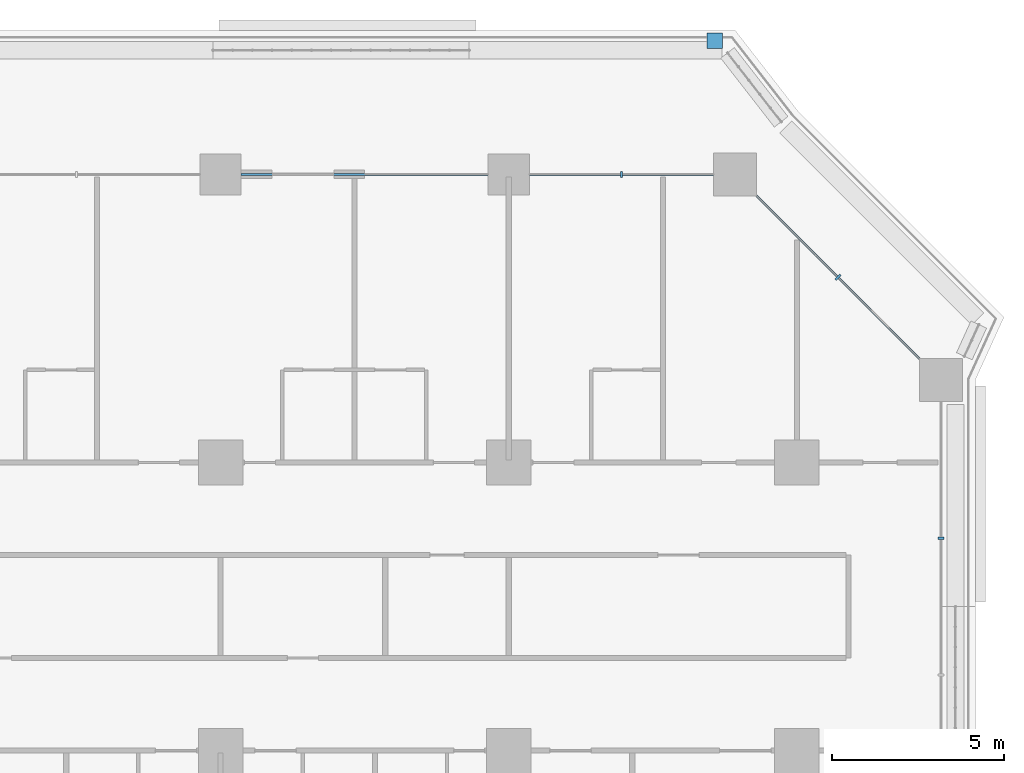
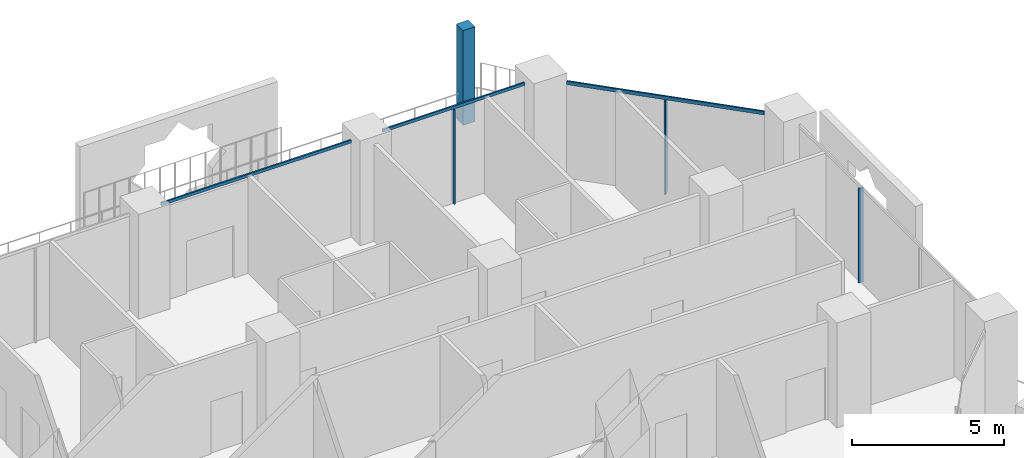
# One storey, part 10 of 28: 7 members, 4 elements without a shape of their own.
"""IFC4 building model written with IfcOpenShell, lengths in metres."""

from ifc_helpers import new_model, si_unit, direction, frame, origin, origin_2d, place, context, subcontext, project, spatial, rectangle, extrude, material, layer, layer_set, material_profile, profile_set, type_object, element, aggregate, save


model = new_model("IFC4")

# Units and contexts
model_context = context("Model", 3, precision=1e-05, world=origin(), true_north=direction((0.0, 1.0)))
body_context = subcontext(model_context, "Body", "Model", "MODEL_VIEW")
ifc_project = project(units=[si_unit("LENGTHUNIT", "METRE"), si_unit("AREAUNIT", "SQUARE_METRE"), si_unit("VOLUMEUNIT", "CUBIC_METRE"), si_unit("PLANEANGLEUNIT", "RADIAN"), si_unit("MASSUNIT", "GRAM", prefix="KILO")], contexts=[model_context])

# Site, building, storey
site_placement = place(None, origin())
site = spatial("IfcSite", under=ifc_project, at=site_placement, CompositionType="ELEMENT")
building_placement = place(site_placement, origin())
building = spatial("IfcBuilding", under=site, at=building_placement, Name="Kawkab Arch Medical Tower", CompositionType="ELEMENT")
storey_placement = place(building_placement, frame((0.0, 0.0, 77.0)))
storey = spatial("IfcBuildingStorey", under=building, at=storey_placement, Name="L17", CompositionType="ELEMENT", Elevation=77.0)

# Curtain wall, member
ifc_material_1 = material(Name="Bronze anodised aluminium curtain wall frame", Category="aluminium")
ifc_layer_1 = layer(ifc_material_1, 0.159912109375)
ifc_layer_set_1 = layer_set([ifc_layer_1], Name="Bronze anodised aluminium curtain wall frame")
curtain_wall_type_1 = type_object("IfcCurtainWallType", Name="CW1 ward curtain wall", PredefinedType="NOTDEFINED", material=ifc_layer_set_1)
placement = place(storey_placement, origin())
curtain_wall_1 = element("IfcCurtainWall", 1, at=placement, inside=storey, type_object=curtain_wall_type_1, Name="CW1 Ward curtain wall R09", PredefinedType="NOTDEFINED")
ifc_material_2 = material(Name="Bronze anodised aluminium curtain wall frame", Category="aluminium")
ifc_material_profile_1 = material_profile(ifc_material_2, rectangle(XDim=0.179931640625, YDim=0.06005859375, at=origin_2d()), Name="AL 60x180")
ifc_profile_set_1 = profile_set([ifc_material_profile_1], Name="Bronze anodised aluminium curtain wall frame")
member_type_1 = type_object("IfcMemberType", Name="CW1 mullion 60 x 180", PredefinedType="MULLION", material=ifc_profile_set_1)
member_1_placement = place(storey_placement, frame((79.800048828125, -10.6083984375, 0.0), z_axis=(0.0, 0.0, 1.0), x_axis=(-1.0, 0.0, 0.0)))
member_1 = element("IfcMember", 2, at=member_1_placement, type_object=member_type_1, Name="CW1 mullion 1.2", PredefinedType="MULLION", context=body_context, shape_type="SweptSolid", body=[
    extrude(rectangle(XDim=0.179931640625, YDim=0.06005859375, at=origin_2d()), origin(), (0.0, 0.0, 1.0), 3.780029296875),
])
aggregate(curtain_wall_1, [member_1])

# Curtain wall, members
curtain_wall_2 = element("IfcCurtainWall", 3, at=placement, inside=storey, type_object=curtain_wall_type_1, Name="CW1 Ward curtain wall R11", PredefinedType="NOTDEFINED")
member_2_placement = place(storey_placement, frame((70.487548828125, 0.0, 0.0), z_axis=(0.0, 0.0, 1.0), x_axis=(0.0, -1.0, 0.0)))
member_2 = element("IfcMember", 4, at=member_2_placement, type_object=member_type_1, Name="CW1 mullion 1.1", PredefinedType="MULLION", context=body_context, shape_type="SweptSolid", body=[
    extrude(rectangle(XDim=0.179931640625, YDim=0.06005859375, at=origin_2d()), origin(), (0.0, 0.0, 1.0), 3.780029296875),
])
ifc_material_3 = material(Name="Bronze anodised aluminium curtain wall frame", Category="aluminium")
ifc_material_profile_2 = material_profile(ifc_material_3, rectangle(XDim=0.06005859375, YDim=0.1201171875, at=origin_2d()), Name="AL 60x120")
ifc_profile_set_2 = profile_set([ifc_material_profile_2], Name="Bronze anodised aluminium curtain wall frame")
member_type_2 = type_object("IfcMemberType", Name="CW1 transom 120 x 60", PredefinedType="USERDEFINED", material=ifc_profile_set_2)
member_3_placement = place(storey_placement, frame((73.175048828125, 0.0, 3.840087890625), z_axis=(-1.0, 0.0, 0.0), x_axis=(0.0, -1.0, 0.0)))
member_3 = element("IfcMember", 5, at=member_3_placement, type_object=member_type_2, Name="CW1 transom 1", ObjectType="TRANSOM", PredefinedType="USERDEFINED", context=body_context, shape_type="SweptSolid", body=[
    extrude(rectangle(XDim=0.06005859375, YDim=0.1201171875, at=origin_2d()), origin(), (0.0, 0.0, 1.0), 5.375),
])
member_4_placement = place(storey_placement, frame((66.60009765625, 0.0, 3.840087890625), z_axis=(-1.0, 0.0, 0.0), x_axis=(0.0, -1.0, 0.0)))
member_4 = element("IfcMember", 6, at=member_4_placement, type_object=member_type_2, Name="CW1 transom 2", ObjectType="TRANSOM", PredefinedType="USERDEFINED", context=body_context, shape_type="SweptSolid", body=[
    extrude(rectangle(XDim=0.06005859375, YDim=0.1201171875, at=origin_2d()), origin(), (0.0, 0.0, 1.0), 7.2001953125),
])
aggregate(curtain_wall_2, [member_3, member_2, member_4])

ifc_material_4 = material(Name="Bronze anodised aluminium curtain wall frame", Category="aluminium")
ifc_layer_2 = layer(ifc_material_4, 0.159912109375)
ifc_layer_set_2 = layer_set([ifc_layer_2], Name="Bronze anodised aluminium curtain wall frame")
curtain_wall_type_2 = type_object("IfcCurtainWallType", Name="CW2 chamfer curtain wall", PredefinedType="NOTDEFINED", material=ifc_layer_set_2)
curtain_wall_3 = element("IfcCurtainWall", 7, at=placement, inside=storey, type_object=curtain_wall_type_2, Name="CW2 Chamfer curtain wall R10", PredefinedType="NOTDEFINED")
ifc_material_5 = material(Name="Bronze anodised aluminium curtain wall frame", Category="aluminium")
ifc_material_profile_3 = material_profile(ifc_material_5, rectangle(XDim=0.199951171875, YDim=0.06005859375, at=origin_2d()), Name="AL 60x200")
ifc_profile_set_3 = profile_set([ifc_material_profile_3], Name="Bronze anodised aluminium curtain wall frame")
member_type_3 = type_object("IfcMemberType", Name="CW2 mullion 60 x 200", PredefinedType="MULLION", material=ifc_profile_set_3)
member_5_placement = place(storey_placement, frame((76.800048828125, -3.0, 0.0), z_axis=(0.0, 0.0, 1.0), x_axis=(-0.707106781187, -0.707106781187, 0.0)))
member_5 = element("IfcMember", 8, at=member_5_placement, type_object=member_type_3, Name="CW2 mullion 1.1", PredefinedType="MULLION", context=body_context, shape_type="SweptSolid", body=[
    extrude(rectangle(XDim=0.199951171875, YDim=0.06005859375, at=origin_2d()), origin(), (0.0, 0.0, 1.0), 3.760009765625),
])
ifc_material_6 = material(Name="Bronze anodised aluminium curtain wall frame", Category="aluminium")
ifc_material_profile_4 = material_profile(ifc_material_6, rectangle(XDim=0.06005859375, YDim=0.139892578125, at=origin_2d()), Name="AL 60x140")
ifc_profile_set_4 = profile_set([ifc_material_profile_4], Name="Bronze anodised aluminium curtain wall frame")
member_type_4 = type_object("IfcMemberType", Name="CW2 transom 140 x 60", PredefinedType="USERDEFINED", material=ifc_profile_set_4)
member_6_placement = place(storey_placement, frame((79.175048828125, -5.375, 3.830078125), z_axis=(-0.707106781187, 0.707106781187, 0.0), x_axis=(-0.707106781187, -0.707106781187, 0.0)))
member_6 = element("IfcMember", 9, at=member_6_placement, type_object=member_type_4, Name="CW2 transom 1", ObjectType="TRANSOM", PredefinedType="USERDEFINED", context=body_context, shape_type="SweptSolid", body=[
    extrude(rectangle(XDim=0.06005859375, YDim=0.139892578125, at=origin_2d()), origin(), (0.0, 0.0, 1.0), 6.717529296875),
])
aggregate(curtain_wall_3, [member_6, member_5])

# Curtain wall, member
ifc_material_7 = material(Name="Bronze anodised aluminium climber frame, planted", Category="aluminium")
ifc_layer_3 = layer(ifc_material_7, 0.449951171875)
ifc_layer_set_3 = layer_set([ifc_layer_3], Name="Bronze anodised aluminium climber frame, planted")
curtain_wall_type_3 = type_object("IfcCurtainWallType", Name="Planted climber frame", PredefinedType="NOTDEFINED", material=ifc_layer_set_3)
curtain_wall_4 = element("IfcCurtainWall", 10, at=placement, inside=storey, type_object=curtain_wall_type_3, Name="Planted climber frame L17", PredefinedType="NOTDEFINED")
ifc_material_8 = material(Name="Bronze anodised aluminium climber frame, planted", Category="aluminium")
ifc_material_profile_5 = material_profile(ifc_material_8, rectangle(XDim=0.449951171875, YDim=0.449951171875, at=origin_2d()), Name="Post 450x450")
ifc_profile_set_5 = profile_set([ifc_material_profile_5], Name="Bronze anodised aluminium climber frame, planted")
member_type_5 = type_object("IfcMemberType", Name="Planted climber post 450 x 450", PredefinedType="MULLION", material=ifc_profile_set_5)
member_7_placement = place(storey_placement, frame((73.202880859375, 3.89990234375, 0.0), z_axis=(0.0, 0.0, 1.0), x_axis=(1.0, 0.0, 0.0)))
member_7 = element("IfcMember", 11, at=member_7_placement, type_object=member_type_5, Name="Planted climber post L17.LOG-01-01.4", PredefinedType="MULLION", context=body_context, shape_type="SweptSolid", body=[
    extrude(rectangle(XDim=0.449951171875, YDim=0.449951171875, at=origin_2d()), origin(), (0.0, 0.0, 1.0), 3.800048828125),
])
aggregate(curtain_wall_4, [member_7])

save(model, "model.ifc")
